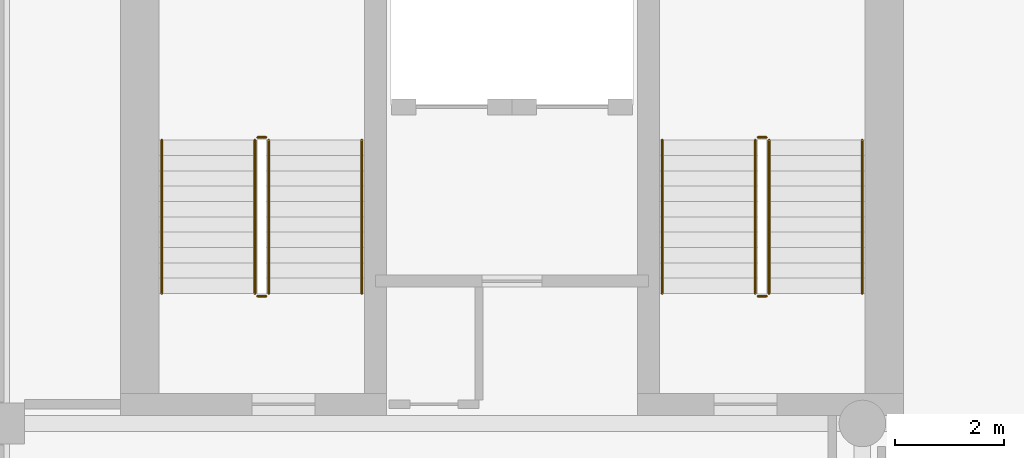
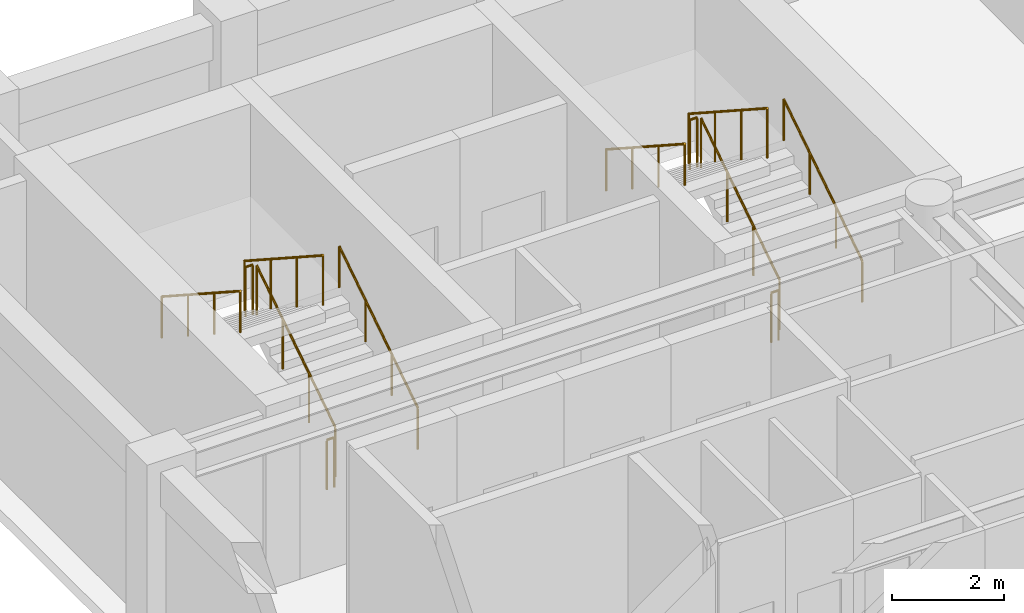
# One storey, part 7 of 8: 12 railings.
"""IFC4 building model written with IfcOpenShell, lengths in metres."""

from ifc_helpers import new_model, si_unit, direction, frame, origin, origin_2d, place, context, subcontext, project, spatial, circle, extrude, material, type_object, element, save


model = new_model("IFC4")

# Units and contexts
model_context = context("Model", 3, precision=1e-05, world=origin(), true_north=direction((0.0, 1.0)))
body_context = subcontext(model_context, "Body", "Model", "MODEL_VIEW")
ifc_project = project(units=[si_unit("LENGTHUNIT", "METRE"), si_unit("AREAUNIT", "SQUARE_METRE"), si_unit("VOLUMEUNIT", "CUBIC_METRE"), si_unit("PLANEANGLEUNIT", "RADIAN"), si_unit("MASSUNIT", "GRAM", prefix="KILO")], contexts=[model_context])

# Site, building, storey
site_placement = place(None, origin())
site = spatial("IfcSite", under=ifc_project, at=site_placement, CompositionType="ELEMENT")
building_placement = place(site_placement, origin())
building = spatial("IfcBuilding", under=site, at=building_placement, Name="Sulina Concourse Tower", CompositionType="ELEMENT")
storey_placement = place(building_placement, frame((0.0, 0.0, 256.60009765625)))
storey = spatial("IfcBuildingStorey", under=building, at=storey_placement, Name="L62", CompositionType="ELEMENT", Elevation=256.60009765625)

# Railings
ifc_material_1 = material(Name="Galvanised steel railing", Category="steel")
railing_type_1 = type_object("IfcRailingType", Name="Core Stair Steel Guardrail 1150mm", PredefinedType="GUARDRAIL", material=ifc_material_1)
railing_1_placement = place(storey_placement, frame((5.554931640625, 36.375, 0.181640625)))
element("IfcRailing", 1, at=railing_1_placement, inside=storey, type_object=railing_type_1, Name="L62 ST-1 stair guard 1", PredefinedType="GUARDRAIL", context=body_context, shape_type="SweptSolid", body=[
    extrude(circle(Radius=0.02392578125, at=origin_2d()), frame((0.0, 0.0, 1.076171875), z_axis=(0.0, 0.838672427954, 0.544636170843), x_axis=(-1.0, 0.0, 0.0)), (0.0, 0.0, 1.0), 3.338623046875),
    extrude(circle(Radius=0.02099609375, at=origin_2d()), origin(), (0.0, 0.0, 1.0), 1.052001953125),
    extrude(circle(Radius=0.02099609375, at=origin_2d()), frame((0.0, 0.933349609375, 0.606201171875)), (0.0, 0.0, 1.0), 1.052001953125),
    extrude(circle(Radius=0.02099609375, at=origin_2d()), frame((0.0, 1.86669921875, 1.212158203125)), (0.0, 0.0, 1.0), 1.052001953125),
    extrude(circle(Radius=0.02099609375, at=origin_2d()), frame((0.0, 2.800048828125, 1.818359375)), (0.0, 0.0, 1.0), 1.052001953125),
])
railing_2_placement = place(storey_placement, frame((5.5048828125, 39.22509765625, 2.0)))
element("IfcRailing", 2, at=railing_2_placement, inside=storey, type_object=railing_type_1, Name="L62 ST-1 stair guard 2", PredefinedType="GUARDRAIL", context=body_context, shape_type="SweptSolid", body=[
    extrude(circle(Radius=0.02392578125, at=origin_2d()), frame((0.0, 0.0, 1.076171875), z_axis=(-1.0, 0.0, 0.0), x_axis=(0.0, -1.0, 0.0)), (0.0, 0.0, 1.0), 0.14990234375),
    extrude(circle(Radius=0.02099609375, at=origin_2d()), origin(), (0.0, 0.0, 1.0), 1.052001953125),
    extrude(circle(Radius=0.02099609375, at=origin_2d()), frame((-0.14990234375, 0.0, 0.0)), (0.0, 0.0, 1.0), 1.052001953125),
])
railing_3_placement = place(storey_placement, frame((5.304931640625, 39.175048828125, 2.181640625)))
element("IfcRailing", 3, at=railing_3_placement, inside=storey, type_object=railing_type_1, Name="L62 ST-1 stair guard 3", PredefinedType="GUARDRAIL", context=body_context, shape_type="SweptSolid", body=[
    extrude(circle(Radius=0.02392578125, at=origin_2d()), frame((0.0, 0.0, 1.076171875), z_axis=(0.0, -0.838672427954, 0.544636170843), x_axis=(1.0, 0.0, 0.0)), (0.0, 0.0, 1.0), 3.338623046875),
    extrude(circle(Radius=0.02099609375, at=origin_2d()), origin(), (0.0, 0.0, 1.0), 1.052001953125),
    extrude(circle(Radius=0.02099609375, at=origin_2d()), frame((0.0, -0.933349609375, 0.606201171875)), (0.0, 0.0, 1.0), 1.052001953125),
    extrude(circle(Radius=0.02099609375, at=origin_2d()), frame((0.0, -1.86669921875, 1.212158203125)), (0.0, 0.0, 1.0), 1.052001953125),
    extrude(circle(Radius=0.02099609375, at=origin_2d()), frame((0.0, -2.800048828125, 1.818359375)), (0.0, 0.0, 1.0), 1.052001953125),
])
railing_4_placement = place(storey_placement, frame((5.5048828125, 36.324951171875, 0.0)))
element("IfcRailing", 4, at=railing_4_placement, inside=storey, type_object=railing_type_1, Name="L62 ST-1 stair guard 4", PredefinedType="GUARDRAIL", context=body_context, shape_type="SweptSolid", body=[
    extrude(circle(Radius=0.02392578125, at=origin_2d()), frame((0.0, 0.0, 1.076171875), z_axis=(-1.0, 0.0, 0.0), x_axis=(0.0, -1.0, 0.0)), (0.0, 0.0, 1.0), 0.14990234375),
    extrude(circle(Radius=0.02099609375, at=origin_2d()), origin(), (0.0, 0.0, 1.0), 1.052001953125),
    extrude(circle(Radius=0.02099609375, at=origin_2d()), frame((-0.14990234375, 0.0, 0.0)), (0.0, 0.0, 1.0), 1.052001953125),
])
railing_5_placement = place(storey_placement, frame((14.695068359375, 36.375, 0.181640625)))
element("IfcRailing", 5, at=railing_5_placement, inside=storey, type_object=railing_type_1, Name="L62 ST-2 stair guard 1", PredefinedType="GUARDRAIL", context=body_context, shape_type="SweptSolid", body=[
    extrude(circle(Radius=0.02392578125, at=origin_2d()), frame((0.0, 0.0, 1.076171875), z_axis=(0.0, 0.838672427954, 0.544636170843), x_axis=(-1.0, 0.0, 0.0)), (0.0, 0.0, 1.0), 3.338623046875),
    extrude(circle(Radius=0.02099609375, at=origin_2d()), origin(), (0.0, 0.0, 1.0), 1.052001953125),
    extrude(circle(Radius=0.02099609375, at=origin_2d()), frame((0.0, 0.933349609375, 0.606201171875)), (0.0, 0.0, 1.0), 1.052001953125),
    extrude(circle(Radius=0.02099609375, at=origin_2d()), frame((0.0, 1.86669921875, 1.212158203125)), (0.0, 0.0, 1.0), 1.052001953125),
    extrude(circle(Radius=0.02099609375, at=origin_2d()), frame((0.0, 2.800048828125, 1.818359375)), (0.0, 0.0, 1.0), 1.052001953125),
])
railing_6_placement = place(storey_placement, frame((14.64501953125, 39.22509765625, 2.0)))
element("IfcRailing", 6, at=railing_6_placement, inside=storey, type_object=railing_type_1, Name="L62 ST-2 stair guard 2", PredefinedType="GUARDRAIL", context=body_context, shape_type="SweptSolid", body=[
    extrude(circle(Radius=0.02392578125, at=origin_2d()), frame((0.0, 0.0, 1.076171875), z_axis=(-1.0, 0.0, 0.0), x_axis=(0.0, -1.0, 0.0)), (0.0, 0.0, 1.0), 0.14990234375),
    extrude(circle(Radius=0.02099609375, at=origin_2d()), origin(), (0.0, 0.0, 1.0), 1.052001953125),
    extrude(circle(Radius=0.02099609375, at=origin_2d()), frame((-0.14990234375, 0.0, 0.0)), (0.0, 0.0, 1.0), 1.052001953125),
])
railing_7_placement = place(storey_placement, frame((14.445068359375, 39.175048828125, 2.181640625)))
element("IfcRailing", 7, at=railing_7_placement, inside=storey, type_object=railing_type_1, Name="L62 ST-2 stair guard 3", PredefinedType="GUARDRAIL", context=body_context, shape_type="SweptSolid", body=[
    extrude(circle(Radius=0.02392578125, at=origin_2d()), frame((0.0, 0.0, 1.076171875), z_axis=(0.0, -0.838672427954, 0.544636170843), x_axis=(1.0, 0.0, 0.0)), (0.0, 0.0, 1.0), 3.338623046875),
    extrude(circle(Radius=0.02099609375, at=origin_2d()), origin(), (0.0, 0.0, 1.0), 1.052001953125),
    extrude(circle(Radius=0.02099609375, at=origin_2d()), frame((0.0, -0.933349609375, 0.606201171875)), (0.0, 0.0, 1.0), 1.052001953125),
    extrude(circle(Radius=0.02099609375, at=origin_2d()), frame((0.0, -1.86669921875, 1.212158203125)), (0.0, 0.0, 1.0), 1.052001953125),
    extrude(circle(Radius=0.02099609375, at=origin_2d()), frame((0.0, -2.800048828125, 1.818359375)), (0.0, 0.0, 1.0), 1.052001953125),
])
railing_8_placement = place(storey_placement, frame((14.64501953125, 36.324951171875, 0.0)))
element("IfcRailing", 8, at=railing_8_placement, inside=storey, type_object=railing_type_1, Name="L62 ST-2 stair guard 4", PredefinedType="GUARDRAIL", context=body_context, shape_type="SweptSolid", body=[
    extrude(circle(Radius=0.02392578125, at=origin_2d()), frame((0.0, 0.0, 1.076171875), z_axis=(-1.0, 0.0, 0.0), x_axis=(0.0, -1.0, 0.0)), (0.0, 0.0, 1.0), 0.14990234375),
    extrude(circle(Radius=0.02099609375, at=origin_2d()), origin(), (0.0, 0.0, 1.0), 1.052001953125),
    extrude(circle(Radius=0.02099609375, at=origin_2d()), frame((-0.14990234375, 0.0, 0.0)), (0.0, 0.0, 1.0), 1.052001953125),
])
ifc_material_2 = material(Name="Galvanised steel railing", Category="steel")
railing_type_2 = type_object("IfcRailingType", Name="Stair Wall Steel Handrail 920mm", PredefinedType="HANDRAIL", material=ifc_material_2)
railing_9_placement = place(storey_placement, frame((7.2548828125, 36.375, 0.181640625)))
element("IfcRailing", 9, at=railing_9_placement, inside=storey, type_object=railing_type_2, Name="L62 ST-1 stair handrail 1", PredefinedType="HANDRAIL", context=body_context, shape_type="SweptSolid", body=[
    extrude(circle(Radius=0.02392578125, at=origin_2d()), frame((0.0, 0.0, 0.89599609375), z_axis=(0.0, 0.838672427954, 0.544636170843), x_axis=(-1.0, 0.0, 0.0)), (0.0, 0.0, 1.0), 3.338623046875),
    extrude(circle(Radius=0.02099609375, at=origin_2d()), origin(), (0.0, 0.0, 1.0), 0.871826171875),
    extrude(circle(Radius=0.02099609375, at=origin_2d()), frame((0.0, 0.933349609375, 0.606201171875)), (0.0, 0.0, 1.0), 0.871826171875),
    extrude(circle(Radius=0.02099609375, at=origin_2d()), frame((0.0, 1.86669921875, 1.212158203125)), (0.0, 0.0, 1.0), 0.871826171875),
    extrude(circle(Radius=0.02099609375, at=origin_2d()), frame((0.0, 2.800048828125, 1.818359375)), (0.0, 0.0, 1.0), 0.871826171875),
])
railing_10_placement = place(storey_placement, frame((3.60498046875, 39.175048828125, 2.181640625)))
element("IfcRailing", 10, at=railing_10_placement, inside=storey, type_object=railing_type_2, Name="L62 ST-1 stair handrail 2", PredefinedType="HANDRAIL", context=body_context, shape_type="SweptSolid", body=[
    extrude(circle(Radius=0.02392578125, at=origin_2d()), frame((0.0, 0.0, 0.89599609375), z_axis=(0.0, -0.838672427954, 0.544636170843), x_axis=(1.0, 0.0, 0.0)), (0.0, 0.0, 1.0), 3.338623046875),
    extrude(circle(Radius=0.02099609375, at=origin_2d()), origin(), (0.0, 0.0, 1.0), 0.871826171875),
    extrude(circle(Radius=0.02099609375, at=origin_2d()), frame((0.0, -0.933349609375, 0.606201171875)), (0.0, 0.0, 1.0), 0.871826171875),
    extrude(circle(Radius=0.02099609375, at=origin_2d()), frame((0.0, -1.86669921875, 1.212158203125)), (0.0, 0.0, 1.0), 0.871826171875),
    extrude(circle(Radius=0.02099609375, at=origin_2d()), frame((0.0, -2.800048828125, 1.818359375)), (0.0, 0.0, 1.0), 0.871826171875),
])
railing_11_placement = place(storey_placement, frame((16.39501953125, 36.375, 0.181640625)))
element("IfcRailing", 11, at=railing_11_placement, inside=storey, type_object=railing_type_2, Name="L62 ST-2 stair handrail 1", PredefinedType="HANDRAIL", context=body_context, shape_type="SweptSolid", body=[
    extrude(circle(Radius=0.02392578125, at=origin_2d()), frame((0.0, 0.0, 0.89599609375), z_axis=(0.0, 0.838672427954, 0.544636170843), x_axis=(-1.0, 0.0, 0.0)), (0.0, 0.0, 1.0), 3.338623046875),
    extrude(circle(Radius=0.02099609375, at=origin_2d()), origin(), (0.0, 0.0, 1.0), 0.871826171875),
    extrude(circle(Radius=0.02099609375, at=origin_2d()), frame((0.0, 0.933349609375, 0.606201171875)), (0.0, 0.0, 1.0), 0.871826171875),
    extrude(circle(Radius=0.02099609375, at=origin_2d()), frame((0.0, 1.86669921875, 1.212158203125)), (0.0, 0.0, 1.0), 0.871826171875),
    extrude(circle(Radius=0.02099609375, at=origin_2d()), frame((0.0, 2.800048828125, 1.818359375)), (0.0, 0.0, 1.0), 0.871826171875),
])
railing_12_placement = place(storey_placement, frame((12.7451171875, 39.175048828125, 2.181640625)))
element("IfcRailing", 12, at=railing_12_placement, inside=storey, type_object=railing_type_2, Name="L62 ST-2 stair handrail 2", PredefinedType="HANDRAIL", context=body_context, shape_type="SweptSolid", body=[
    extrude(circle(Radius=0.02392578125, at=origin_2d()), frame((0.0, 0.0, 0.89599609375), z_axis=(0.0, -0.838672427954, 0.544636170843), x_axis=(1.0, 0.0, 0.0)), (0.0, 0.0, 1.0), 3.338623046875),
    extrude(circle(Radius=0.02099609375, at=origin_2d()), origin(), (0.0, 0.0, 1.0), 0.871826171875),
    extrude(circle(Radius=0.02099609375, at=origin_2d()), frame((0.0, -0.933349609375, 0.606201171875)), (0.0, 0.0, 1.0), 0.871826171875),
    extrude(circle(Radius=0.02099609375, at=origin_2d()), frame((0.0, -1.86669921875, 1.212158203125)), (0.0, 0.0, 1.0), 0.871826171875),
    extrude(circle(Radius=0.02099609375, at=origin_2d()), frame((0.0, -2.800048828125, 1.818359375)), (0.0, 0.0, 1.0), 0.871826171875),
])

save(model, "model.ifc")
